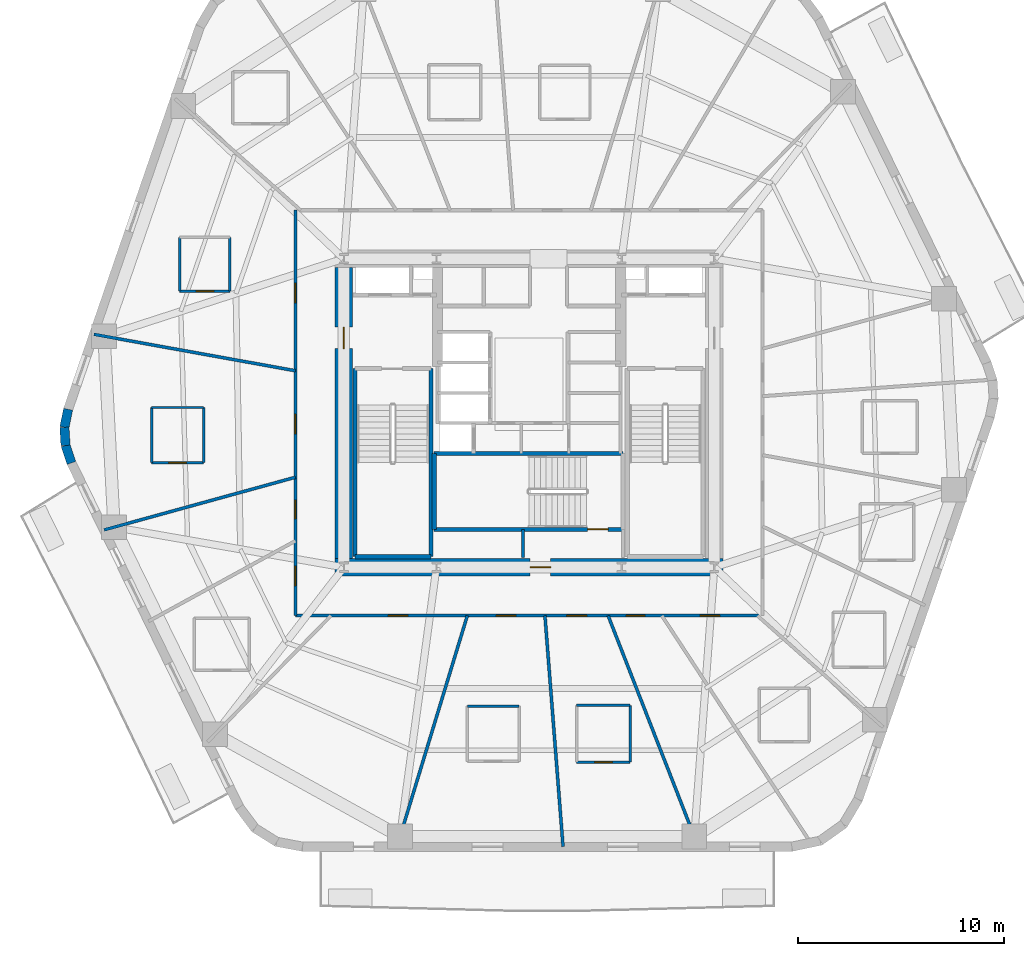
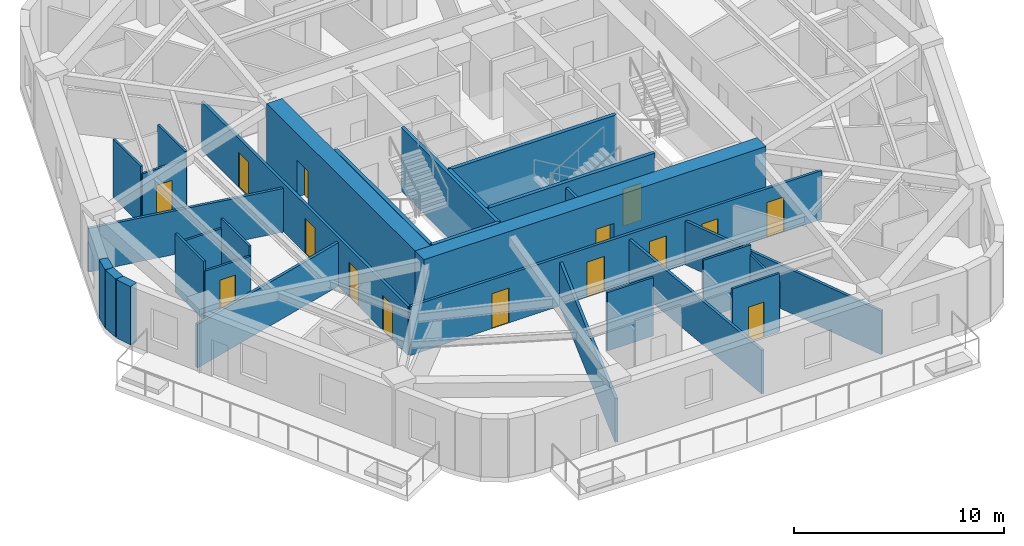
# One storey, part 3 of 10: 30 walls, 15 doors, 15 openings.
"""IFC4 building model written with IfcOpenShell, lengths in metres."""

import ifcopenshell
import ifcopenshell.guid

model = None  # the IFC model being written
_history = None  # IfcOwnerHistory: only IFC2X3 demands one
_inside = {}  # id of a spatial element -> (the spatial element, [elements in it])
_under = {}  # id of a project, library or spatial element -> (it, [spatial elements below it])
_declared = {}  # id of a project -> (the project, [libraries it declares])
_typed = {}  # id of a type object -> (the type object, [elements of that type])
_made_of = {}  # id of a material, layer set ... -> (it, [elements and type objects made of it])


def new_model(schema):
    """Start an empty IFC model of exactly this schema.

    Asked for "IFC4X3", IfcOpenShell would pick the latest addendum, in which some entities
    have other attributes; the version numbers below select the first issue.
    IFC2X3 requires an IfcOwnerHistory on every rooted entity: one is made here for all.
    """
    global model, _history
    if schema == "IFC4X3":
        model = ifcopenshell.file(schema_version=(4, 3, 0, 0))
    else:
        model = ifcopenshell.file(schema=schema)
    _inside.clear()
    _under.clear()
    _declared.clear()
    _typed.clear()
    _made_of.clear()
    _history = None
    if model.schema == "IFC2X3":
        org = make("IfcOrganization", Name="unknown")
        user = make(
            "IfcPersonAndOrganization",
            ThePerson=make("IfcPerson", FamilyName="unknown"),
            TheOrganization=org,
        )
        app = make(
            "IfcApplication",
            ApplicationDeveloper=org,
            Version="unknown",
            ApplicationFullName="unknown",
            ApplicationIdentifier="unknown",
        )
        _history = make(
            "IfcOwnerHistory",
            OwningUser=user,
            OwningApplication=app,
            ChangeAction="ADDED",
            CreationDate=0,
        )
    return model


def make(cls, **values):
    """One entity of the class cls with the attributes given. An attribute that is None is left unset."""
    return model.create_entity(
        cls, **{name: value for name, value in values.items() if value is not None}
    )


def rooted(cls, **values):
    """An entity with a GlobalId (a new one), such as an element, a storey or a relation."""
    return make(cls, GlobalId=ifcopenshell.guid.new(), OwnerHistory=_history, **values)


def si_unit(unit_type, name, prefix=None):
    """IfcSIUnit, for example si_unit("LENGTHUNIT", "METRE", prefix="MILLI")."""
    return make("IfcSIUnit", UnitType=unit_type, Prefix=prefix, Name=name)


def assignment(units):
    """IfcUnitAssignment: the units of a project."""
    return None if units is None else make("IfcUnitAssignment", Units=units)


def point(xyz):
    """IfcCartesianPoint."""
    return None if xyz is None else make("IfcCartesianPoint", Coordinates=xyz)


def direction(xyz):
    """IfcDirection."""
    return None if xyz is None else make("IfcDirection", DirectionRatios=xyz)


def frame(location, z_axis=None, x_axis=None):
    """IfcAxis2Placement3D, a coordinate frame: its origin and axes. An axis left out is left unset."""
    return make(
        "IfcAxis2Placement3D",
        Location=point(location),
        Axis=direction(z_axis),
        RefDirection=direction(x_axis),
    )


def frame_2d(location, x_axis=None):
    """IfcAxis2Placement2D, a coordinate frame in the plane: its origin and x axis."""
    return make(
        "IfcAxis2Placement2D", Location=point(location), RefDirection=direction(x_axis)
    )


def origin():
    """The frame at (0, 0, 0) with its axes left unset."""
    return frame((0.0, 0.0, 0.0))


def place(relative_to, where):
    """IfcLocalPlacement: puts the frame where relative to a parent placement (None: the world)."""
    return make(
        "IfcLocalPlacement", PlacementRelTo=relative_to, RelativePlacement=where
    )


def context(
    kind, dimensions, precision=None, world=None, true_north=None, identifier=None
):
    """IfcGeometricRepresentationContext, for example the 3D "Model" context."""
    return make(
        "IfcGeometricRepresentationContext",
        ContextIdentifier=identifier,
        ContextType=kind,
        CoordinateSpaceDimension=dimensions,
        Precision=precision,
        WorldCoordinateSystem=world,
        TrueNorth=true_north,
    )


def subcontext(parent, identifier, kind, view, scale=None):
    """IfcGeometricRepresentationSubContext, for example "Body" below "Model"."""
    return make(
        "IfcGeometricRepresentationSubContext",
        ContextIdentifier=identifier,
        ContextType=kind,
        ParentContext=parent,
        TargetScale=scale,
        TargetView=view,
    )


def project(units=None, contexts=None):
    """IfcProject with its units and contexts."""
    return rooted(
        "IfcProject",
        Name="project",
        RepresentationContexts=contexts,
        UnitsInContext=assignment(units),
    )


def spatial(cls, under=None, at=None, **own):
    """A site, building, storey or space (cls), placed at a placement, below another one or the project."""
    s = rooted(cls, ObjectPlacement=at, **own)
    if under is not None:
        _under.setdefault(under.id(), (under, []))[1].append(s)
    return s


def profile(cls, at=None, kind="AREA", **sizes):
    """A parametric profile (cls). Its sizes go by their IFC names, for example OverallWidth=200.0."""
    return make(cls, ProfileType=kind, Position=at, **sizes)


def rectangle(**sizes):
    """IfcRectangleProfileDef."""
    return profile("IfcRectangleProfileDef", **sizes)


def extrude(swept, where, along, depth):
    """IfcExtrudedAreaSolid: the profile swept, set in the frame where, extruded along a direction by depth."""
    return make(
        "IfcExtrudedAreaSolid",
        SweptArea=swept,
        Position=where,
        ExtrudedDirection=direction(along),
        Depth=depth,
    )


def shape(context_of_items, identifier, shape_type, items):
    """IfcShapeRepresentation: the items that make up one representation, for example the "Body"."""
    return make(
        "IfcShapeRepresentation",
        ContextOfItems=context_of_items,
        RepresentationIdentifier=identifier,
        RepresentationType=shape_type,
        Items=items,
    )


def material(Name=None, Category=None):
    """IfcMaterial."""
    return make("IfcMaterial", Name=Name, Category=Category)


def layer(
    of_material, thickness, ventilated=None, Name=None, Category=None, Priority=None
):
    """IfcMaterialLayer: one layer of a wall or slab, of a material (None: an air gap)."""
    return make(
        "IfcMaterialLayer",
        Material=of_material,
        LayerThickness=thickness,
        IsVentilated=ventilated,
        Name=Name,
        Category=Category,
        Priority=Priority,
    )


def layer_set(layers, Name=None):
    """IfcMaterialLayerSet."""
    return make("IfcMaterialLayerSet", MaterialLayers=layers, LayerSetName=Name)


def made_of(thing, what):
    """Note that an element or type object is made of a material, layer set ...; save() writes the relation."""
    if what is not None:
        _made_of.setdefault(what.id(), (what, []))[1].append(thing)
    return thing


def type_object(cls, material=None, **own):
    """A type object (cls), such as IfcWallType, which elements share."""
    return made_of(rooted(cls, **own), material)


def element(
    cls,
    number,
    at=None,
    inside=None,
    cuts=None,
    type_object=None,
    material=None,
    context=None,
    identifier="Body",
    shape_type=None,
    held_by="IfcProductDefinitionShape",
    body=None,
    shapes=None,
    **own,
):
    """One element of the class cls, such as IfcWall. Its Tag is "e" and its number.

    at: its placement. inside: the storey or other place that contains it. cuts: it is an
    opening in that element (IfcRelVoidsElement). A single representation is given by context,
    identifier, shape_type and body (its items); several are given by shapes. held_by: the class
    of the entity that holds the representations. save() writes the other relations.
    """
    e = rooted(cls, Tag="e%d" % number, ObjectPlacement=at, **own)
    if body is not None:
        shapes = [shape(context, identifier, shape_type, body)]
    if shapes is not None:
        e.Representation = make(held_by, Representations=shapes)
    if inside is not None:
        _inside.setdefault(inside.id(), (inside, []))[1].append(e)
    if cuts is not None:
        rooted(
            "IfcRelVoidsElement", RelatingBuildingElement=cuts, RelatedOpeningElement=e
        )
    if type_object is not None:
        _typed.setdefault(type_object.id(), (type_object, []))[1].append(e)
    return made_of(e, material)


def fill(opening, filler):
    """IfcRelFillsElement: the door or window that sits in an opening."""
    return rooted(
        "IfcRelFillsElement",
        RelatingOpeningElement=opening,
        RelatedBuildingElement=filler,
    )


def aggregate(whole, parts):
    """IfcRelAggregates: a whole, such as a stair, and the parts it consists of."""
    return rooted("IfcRelAggregates", RelatingObject=whole, RelatedObjects=parts)


def save(model, path):
    """Write the relations noted so far, then the file.

    IfcRelAggregates (storeys below a building ...), IfcRelContainedInSpatialStructure (elements
    in a storey), IfcRelDefinesByType, IfcRelAssociatesMaterial and IfcRelDeclares: one each for
    every whole, place, type object, material and project.
    """
    for whole, parts in _under.values():
        aggregate(whole, parts)
    for where, things in _inside.values():
        rooted(
            "IfcRelContainedInSpatialStructure",
            RelatedElements=things,
            RelatingStructure=where,
        )
    for kind, things in _typed.values():
        rooted("IfcRelDefinesByType", RelatedObjects=things, RelatingType=kind)
    for what, things in _made_of.values():
        rooted("IfcRelAssociatesMaterial", RelatedObjects=things, RelatingMaterial=what)
    for by, libraries in _declared.values():
        rooted("IfcRelDeclares", RelatingContext=by, RelatedDefinitions=libraries)
    model.write(path)


model = new_model("IFC4")

# Units and contexts
model_context = context("Model", 3, precision=1e-05, world=origin(), true_north=direction((0.0, 1.0)))
body_context = subcontext(model_context, "Body", "Model", "MODEL_VIEW")
ifc_project = project(units=[si_unit("LENGTHUNIT", "METRE"), si_unit("AREAUNIT", "SQUARE_METRE"), si_unit("VOLUMEUNIT", "CUBIC_METRE"), si_unit("PLANEANGLEUNIT", "RADIAN"), si_unit("MASSUNIT", "GRAM", prefix="KILO")], contexts=[model_context])

# Site, building, storey
site_placement = place(None, origin())
site = spatial("IfcSite", under=ifc_project, at=site_placement, CompositionType="ELEMENT")
building_placement = place(site_placement, origin())
building = spatial("IfcBuilding", under=site, at=building_placement, Name="Kilnhurst Terrace Hotel", CompositionType="ELEMENT")
storey_placement = place(building_placement, frame((0.0, 0.0, 95.10009765625)))
storey = spatial("IfcBuildingStorey", under=building, at=storey_placement, Name="L22", CompositionType="ELEMENT", Elevation=95.10009765625)

# Walls
ifc_material_1 = material(Name="Precast concrete C40/50", Category="concrete")
ifc_layer_1 = layer(ifc_material_1, 0.449951171875, Name="Precast concrete C40/50")
ifc_layer_set_1 = layer_set([ifc_layer_1], Name="Precast concrete C40/50")
wall_type_1 = type_object("IfcWallType", Name="WL-BRK-450", PredefinedType="SOLIDWALL", material=ifc_layer_set_1)
wall_1_placement = place(storey_placement, frame((-22.39697265625, 0.17919921875, 0.0), z_axis=(0.0, 0.0, 1.0), x_axis=(-0.199313589404, -0.979935759669, 0.0)))
element("IfcWall", 1, at=wall_1_placement, inside=storey, type_object=wall_type_1, Name="L22 Rounded Corner Brick Wall C6.1", PredefinedType="SOLIDWALL", context=body_context, shape_type="SweptSolid", body=[
    extrude(rectangle(XDim=0.8955078125, YDim=0.449951171875, at=frame_2d((0.44775390625, 0.0))), origin(), (0.0, 0.0, 1.0), 3.39990234375),
])
wall_2_placement = place(storey_placement, frame((-22.575439453125, -0.6982421875, 0.0), z_axis=(0.0, 0.0, 1.0), x_axis=(0.060980441946, -0.998138961117, 0.0)))
element("IfcWall", 2, at=wall_2_placement, inside=storey, type_object=wall_type_1, Name="L22 Rounded Corner Brick Wall C6.2", PredefinedType="SOLIDWALL", context=body_context, shape_type="SweptSolid", body=[
    extrude(rectangle(XDim=0.880859375, YDim=0.449951171875, at=frame_2d((0.4404296875, 0.0))), origin(), (0.0, 0.0, 1.0), 3.39990234375),
])
wall_3_placement = place(storey_placement, frame((-22.521728515625, -1.577392578125, 0.0), z_axis=(0.0, 0.0, 1.0), x_axis=(0.317372694837, -0.948300887151, 0.0)))
element("IfcWall", 3, at=wall_3_placement, inside=storey, type_object=wall_type_1, Name="L22 Rounded Corner Brick Wall C6.3", PredefinedType="SOLIDWALL", context=body_context, shape_type="SweptSolid", body=[
    extrude(rectangle(XDim=0.8955078125, YDim=0.449951171875, at=frame_2d((0.44775390625, 0.0))), origin(), (0.0, 0.0, 1.0), 3.39990234375),
])

# Wall, openings, doors
ifc_material_2 = material(Name="Acoustic Double-Gypsum Corridor Partition Assembly")
ifc_layer_2 = layer(ifc_material_2, 0.14990234375, Name="Acoustic Double-Gypsum Corridor Partition Assembly")
ifc_layer_set_2 = layer_set([ifc_layer_2], Name="Acoustic Double-Gypsum Corridor Partition Assembly")
wall_type_2 = type_object("IfcWallType", Name="WL-COR-150", PredefinedType="PARTITIONING", material=ifc_layer_set_2)
wall_4_placement = place(storey_placement, frame((-11.35009765625, -9.85009765625, 0.0), z_axis=(0.0, 0.0, 1.0), x_axis=(0.0, 1.0, 0.0)))
wall_4 = element("IfcWall", 4, at=wall_4_placement, inside=storey, type_object=wall_type_2, Name="L22 Interior Wall WL-L22-COR-01", PredefinedType="PARTITIONING", context=body_context, shape_type="SweptSolid", body=[
    extrude(rectangle(XDim=19.7001953125, YDim=0.14990234375, at=frame_2d((9.85009765625, 0.0))), origin(), (0.0, 0.0, 1.0), 2.83984375),
])
opening_1_placement = place(wall_4_placement, frame((15.205078125, 0.0, 0.0)))
opening_1 = element("IfcOpeningElement", 5, at=opening_1_placement, cuts=wall_4, Name="Opening D-60B", PredefinedType="OPENING", context=body_context, shape_type="SweptSolid", body=[
    extrude(rectangle(XDim=0.949951171875, YDim=2.030029296875, at=frame_2d((0.47509765625, 1.01513671875))), frame((0.0, 0.0849609375, 0.0), z_axis=(0.0, -1.0, 0.0), x_axis=(1.0, 0.0, 0.0)), (0.0, 0.0, 1.0), 0.169921875),
])
opening_2_placement = place(wall_4_placement, frame((8.8359375, 0.0, 0.0)))
opening_2 = element("IfcOpeningElement", 6, at=opening_2_placement, cuts=wall_4, Name="Opening D-60B", PredefinedType="OPENING", context=body_context, shape_type="SweptSolid", body=[
    extrude(rectangle(XDim=0.949951171875, YDim=2.030029296875, at=frame_2d((0.47509765625, 1.01513671875))), frame((0.0, 0.0849609375, 0.0), z_axis=(0.0, -1.0, 0.0), x_axis=(1.0, 0.0, 0.0)), (0.0, 0.0, 1.0), 0.169921875),
])
opening_3_placement = place(wall_4_placement, frame((4.714111328125, 0.0, 0.0)))
opening_3 = element("IfcOpeningElement", 7, at=opening_3_placement, cuts=wall_4, Name="Opening D-60C", PredefinedType="OPENING", context=body_context, shape_type="SweptSolid", body=[
    extrude(rectangle(XDim=0.89990234375, YDim=2.030029296875, at=frame_2d((0.449951171875, 1.01513671875))), frame((0.0, 0.0849609375, 0.0), z_axis=(0.0, -1.0, 0.0), x_axis=(1.0, 0.0, 0.0)), (0.0, 0.0, 1.0), 0.169921875),
])
opening_4_placement = place(wall_4_placement, frame((1.4619140625, 0.0, 0.0)))
opening_4 = element("IfcOpeningElement", 8, at=opening_4_placement, cuts=wall_4, Name="Opening D-60B", PredefinedType="OPENING", context=body_context, shape_type="SweptSolid", body=[
    extrude(rectangle(XDim=0.949951171875, YDim=2.030029296875, at=frame_2d((0.47509765625, 1.01513671875))), frame((0.0, 0.0849609375, 0.0), z_axis=(0.0, -1.0, 0.0), x_axis=(1.0, 0.0, 0.0)), (0.0, 0.0, 1.0), 0.169921875),
])
ifc_material_3 = material(Name="Painted Solid-Core Service Fire Door")
door_type_1 = type_object("IfcDoorType", Name="DR-FD60-900", OperationType="NOTDEFINED", PredefinedType="DOOR", material=ifc_material_3)
door_1_placement = place(opening_3_placement, origin())
door_1 = element("IfcDoor", 9, at=door_1_placement, inside=storey, type_object=door_type_1, Name="L22 Wellness Consultation Room Door 11", OperationType="SINGLE_SWING_LEFT", OverallHeight=2.030029296875, OverallWidth=0.89990234375, PredefinedType="DOOR", context=body_context, shape_type="SweptSolid", body=[
    extrude(rectangle(XDim=0.89990234375, YDim=2.030029296875, at=frame_2d((0.449951171875, 1.01513671875))), frame((0.0, 0.02490234375, 0.0), z_axis=(0.0, -1.0, 0.0), x_axis=(1.0, 0.0, 0.0)), (0.0, 0.0, 1.0), 0.050048828125),
])
fill(opening_3, door_1)
ifc_material_4 = material(Name="Acoustic Walnut Veneer Solid-Core Fire Door")
door_type_2 = type_object("IfcDoorType", Name="DR-FD60-950", OperationType="NOTDEFINED", PredefinedType="DOOR", material=ifc_material_4)
door_2_placement = place(opening_1_placement, origin())
door_2 = element("IfcDoor", 10, at=door_2_placement, inside=storey, type_object=door_type_2, Name="L22 Executive Suite Entry Door 9", OperationType="SINGLE_SWING_LEFT", OverallHeight=2.030029296875, OverallWidth=0.949951171875, PredefinedType="DOOR", context=body_context, shape_type="SweptSolid", body=[
    extrude(rectangle(XDim=0.949951171875, YDim=2.030029296875, at=frame_2d((0.47509765625, 1.01513671875))), frame((0.0, 0.02490234375, 0.0), z_axis=(0.0, -1.0, 0.0), x_axis=(1.0, 0.0, 0.0)), (0.0, 0.0, 1.0), 0.050048828125),
])
fill(opening_1, door_2)
door_3_placement = place(opening_2_placement, origin())
door_3 = element("IfcDoor", 11, at=door_3_placement, inside=storey, type_object=door_type_2, Name="L22 Executive Suite Entry Door 10", OperationType="SINGLE_SWING_RIGHT", OverallHeight=2.030029296875, OverallWidth=0.949951171875, PredefinedType="DOOR", context=body_context, shape_type="SweptSolid", body=[
    extrude(rectangle(XDim=0.949951171875, YDim=2.030029296875, at=frame_2d((0.47509765625, 1.01513671875))), frame((0.0, 0.02490234375, 0.0), z_axis=(0.0, -1.0, 0.0), x_axis=(1.0, 0.0, 0.0)), (0.0, 0.0, 1.0), 0.050048828125),
])
fill(opening_2, door_3)
door_4_placement = place(opening_4_placement, origin())
door_4 = element("IfcDoor", 12, at=door_4_placement, inside=storey, type_object=door_type_2, Name="L22 Guest Room Entry Door 12", OperationType="SINGLE_SWING_RIGHT", OverallHeight=2.030029296875, OverallWidth=0.949951171875, PredefinedType="DOOR", context=body_context, shape_type="SweptSolid", body=[
    extrude(rectangle(XDim=0.949951171875, YDim=2.030029296875, at=frame_2d((0.47509765625, 1.01513671875))), frame((0.0, 0.02490234375, 0.0), z_axis=(0.0, -1.0, 0.0), x_axis=(1.0, 0.0, 0.0)), (0.0, 0.0, 1.0), 0.050048828125),
])
fill(opening_4, door_4)

wall_5_placement = place(storey_placement, frame((11.35009765625, -9.85009765625, 0.0), z_axis=(0.0, 0.0, 1.0), x_axis=(-1.0, 0.0, 0.0)))
wall_5 = element("IfcWall", 13, at=wall_5_placement, inside=storey, type_object=wall_type_2, Name="L22 Interior Wall WL-L22-COR-04", PredefinedType="PARTITIONING", context=body_context, shape_type="SweptSolid", body=[
    extrude(rectangle(XDim=22.7001953125, YDim=0.14990234375, at=frame_2d((11.35009765625, 0.0))), origin(), (0.0, 0.0, 1.0), 2.83984375),
])
opening_5_placement = place(wall_5_placement, frame((17.237060546875, 0.0, 0.0)))
opening_5 = element("IfcOpeningElement", 14, at=opening_5_placement, cuts=wall_5, Name="Opening D-60B", PredefinedType="OPENING", context=body_context, shape_type="SweptSolid", body=[
    extrude(rectangle(XDim=0.949951171875, YDim=2.030029296875, at=frame_2d((0.47509765625, 1.01513671875))), frame((0.0, 0.0849609375, 0.0), z_axis=(0.0, -1.0, 0.0), x_axis=(1.0, 0.0, 0.0)), (0.0, 0.0, 1.0), 0.169921875),
])
opening_6_placement = place(wall_5_placement, frame((11.993896484375, 0.0, 0.0)))
opening_6 = element("IfcOpeningElement", 15, at=opening_6_placement, cuts=wall_5, Name="Opening D-60B", PredefinedType="OPENING", context=body_context, shape_type="SweptSolid", body=[
    extrude(rectangle(XDim=0.949951171875, YDim=2.030029296875, at=frame_2d((0.47509765625, 1.01513671875))), frame((0.0, 0.0849609375, 0.0), z_axis=(0.0, -1.0, 0.0), x_axis=(1.0, 0.0, 0.0)), (0.0, 0.0, 1.0), 0.169921875),
])
opening_7_placement = place(wall_5_placement, frame((8.55908203125, 0.0, 0.0)))
opening_7 = element("IfcOpeningElement", 16, at=opening_7_placement, cuts=wall_5, Name="Opening D-60B", PredefinedType="OPENING", context=body_context, shape_type="SweptSolid", body=[
    extrude(rectangle(XDim=0.949951171875, YDim=2.030029296875, at=frame_2d((0.47509765625, 1.01513671875))), frame((0.0, 0.0849609375, 0.0), z_axis=(0.0, -1.0, 0.0), x_axis=(1.0, 0.0, 0.0)), (0.0, 0.0, 1.0), 0.169921875),
])
opening_8_placement = place(wall_5_placement, frame((5.72802734375, 0.0, 0.0)))
opening_8 = element("IfcOpeningElement", 17, at=opening_8_placement, cuts=wall_5, Name="Opening D-60C", PredefinedType="OPENING", context=body_context, shape_type="SweptSolid", body=[
    extrude(rectangle(XDim=0.89990234375, YDim=2.030029296875, at=frame_2d((0.449951171875, 1.01513671875))), frame((0.0, 0.0849609375, 0.0), z_axis=(0.0, -1.0, 0.0), x_axis=(1.0, 0.0, 0.0)), (0.0, 0.0, 1.0), 0.169921875),
])
opening_9_placement = place(wall_5_placement, frame((2.093017578125, 0.0, 0.0)))
opening_9 = element("IfcOpeningElement", 18, at=opening_9_placement, cuts=wall_5, Name="Opening D-60B", PredefinedType="OPENING", context=body_context, shape_type="SweptSolid", body=[
    extrude(rectangle(XDim=0.949951171875, YDim=2.030029296875, at=frame_2d((0.47509765625, 1.01513671875))), frame((0.0, 0.0849609375, 0.0), z_axis=(0.0, -1.0, 0.0), x_axis=(1.0, 0.0, 0.0)), (0.0, 0.0, 1.0), 0.169921875),
])
door_5_placement = place(opening_8_placement, origin())
door_5 = element("IfcDoor", 19, at=door_5_placement, inside=storey, type_object=door_type_1, Name="L22 Private Tasting Dining Room Door 16", OperationType="SINGLE_SWING_RIGHT", OverallHeight=2.030029296875, OverallWidth=0.89990234375, PredefinedType="DOOR", context=body_context, shape_type="SweptSolid", body=[
    extrude(rectangle(XDim=0.89990234375, YDim=2.030029296875, at=frame_2d((0.449951171875, 1.01513671875))), frame((0.0, 0.02490234375, 0.0), z_axis=(0.0, -1.0, 0.0), x_axis=(1.0, 0.0, 0.0)), (0.0, 0.0, 1.0), 0.050048828125),
])
fill(opening_8, door_5)
door_6_placement = place(opening_5_placement, origin())
door_6 = element("IfcDoor", 20, at=door_6_placement, inside=storey, type_object=door_type_2, Name="L22 Wellness Spa Room Door", OperationType="SINGLE_SWING_LEFT", OverallHeight=2.030029296875, OverallWidth=0.949951171875, PredefinedType="DOOR", context=body_context, shape_type="SweptSolid", body=[
    extrude(rectangle(XDim=0.949951171875, YDim=2.030029296875, at=frame_2d((0.47509765625, 1.01513671875))), frame((0.0, 0.02490234375, 0.0), z_axis=(0.0, -1.0, 0.0), x_axis=(1.0, 0.0, 0.0)), (0.0, 0.0, 1.0), 0.050048828125),
])
fill(opening_5, door_6)
door_7_placement = place(opening_6_placement, origin())
door_7 = element("IfcDoor", 21, at=door_7_placement, inside=storey, type_object=door_type_2, Name="L22 Guest Room Entry Door 14", OperationType="SINGLE_SWING_RIGHT", OverallHeight=2.030029296875, OverallWidth=0.949951171875, PredefinedType="DOOR", context=body_context, shape_type="SweptSolid", body=[
    extrude(rectangle(XDim=0.949951171875, YDim=2.030029296875, at=frame_2d((0.47509765625, 1.01513671875))), frame((0.0, 0.02490234375, 0.0), z_axis=(0.0, -1.0, 0.0), x_axis=(1.0, 0.0, 0.0)), (0.0, 0.0, 1.0), 0.050048828125),
])
fill(opening_6, door_7)
door_8_placement = place(opening_7_placement, origin())
door_8 = element("IfcDoor", 22, at=door_8_placement, inside=storey, type_object=door_type_2, Name="L22 Guest Room Entry Door 15", OperationType="SINGLE_SWING_LEFT", OverallHeight=2.030029296875, OverallWidth=0.949951171875, PredefinedType="DOOR", context=body_context, shape_type="SweptSolid", body=[
    extrude(rectangle(XDim=0.949951171875, YDim=2.030029296875, at=frame_2d((0.47509765625, 1.01513671875))), frame((0.0, 0.02490234375, 0.0), z_axis=(0.0, -1.0, 0.0), x_axis=(1.0, 0.0, 0.0)), (0.0, 0.0, 1.0), 0.050048828125),
])
fill(opening_7, door_8)
door_9_placement = place(opening_9_placement, origin())
door_9 = element("IfcDoor", 23, at=door_9_placement, inside=storey, type_object=door_type_2, Name="L22 Guest Room Entry Door 17", OperationType="SINGLE_SWING_LEFT", OverallHeight=2.030029296875, OverallWidth=0.949951171875, PredefinedType="DOOR", context=body_context, shape_type="SweptSolid", body=[
    extrude(rectangle(XDim=0.949951171875, YDim=2.030029296875, at=frame_2d((0.47509765625, 1.01513671875))), frame((0.0, 0.02490234375, 0.0), z_axis=(0.0, -1.0, 0.0), x_axis=(1.0, 0.0, 0.0)), (0.0, 0.0, 1.0), 0.050048828125),
])
fill(opening_9, door_9)

# Wall, opening, door
ifc_material_5 = material(Name="Concrete C80/95", Category="concrete")
ifc_layer_3 = layer(ifc_material_5, 0.85009765625, Name="Concrete C80/95")
ifc_layer_set_3 = layer_set([ifc_layer_3], Name="Concrete C80/95")
wall_type_3 = type_object("IfcWallType", Name="WL-CORE-850", PredefinedType="SHEAR", material=ifc_layer_set_3)
wall_6_placement = place(storey_placement, frame((-9.425048828125, -7.5, 0.0), z_axis=(0.0, 0.0, 1.0), x_axis=(1.0, 0.0, 0.0)))
wall_6 = element("IfcWall", 24, at=wall_6_placement, inside=storey, type_object=wall_type_3, Name="L22 Core South Shear Wall", PredefinedType="SHEAR", context=body_context, shape_type="SweptSolid", body=[
    extrude(rectangle(XDim=18.85009765625, YDim=0.85009765625, at=frame_2d((9.425048828125, 0.0))), origin(), (0.0, 0.0, 1.0), 3.699951171875),
])
opening_10_placement = place(wall_6_placement, frame((9.47509765625, 0.0, 0.0)))
opening_10 = element("IfcOpeningElement", 25, at=opening_10_placement, cuts=wall_6, Name="Opening D-90B", PredefinedType="OPENING", context=body_context, shape_type="SweptSolid", body=[
    extrude(rectangle(XDim=1.0, YDim=2.14990234375, at=frame_2d((0.5, 1.074951171875))), frame((0.0, 0.43505859375, 0.0), z_axis=(0.0, -1.0, 0.0), x_axis=(1.0, 0.0, 0.0)), (0.0, 0.0, 1.0), 0.8701171875),
])
ifc_material_6 = material(Name="Painted Hollow Metal Steel ASTM A36 Fire Door", Category="steel")
door_type_3 = type_object("IfcDoorType", Name="DR-FD90-1000", OperationType="NOTDEFINED", PredefinedType="DOOR", material=ifc_material_6)
door_10_placement = place(opening_10_placement, origin())
door_10 = element("IfcDoor", 26, at=door_10_placement, inside=storey, type_object=door_type_3, Name="L22 Stair ST-3 Corridor Door", OperationType="SINGLE_SWING_RIGHT", OverallHeight=2.14990234375, OverallWidth=1.0, PredefinedType="DOOR", context=body_context, shape_type="SweptSolid", body=[
    extrude(rectangle(XDim=1.0, YDim=2.14990234375, at=frame_2d((0.5, 1.074951171875))), frame((0.0, 0.02490234375, 0.0), z_axis=(0.0, -1.0, 0.0), x_axis=(1.0, 0.0, 0.0)), (0.0, 0.0, 1.0), 0.050048828125),
])
fill(opening_10, door_10)

wall_7_placement = place(storey_placement, frame((-9.0, -7.074951171875, 0.0), z_axis=(0.0, 0.0, 1.0), x_axis=(0.0, 1.0, 0.0)))
wall_7 = element("IfcWall", 27, at=wall_7_placement, inside=storey, type_object=wall_type_3, Name="L22 Core West Shear Wall", PredefinedType="SHEAR", context=body_context, shape_type="SweptSolid", body=[
    extrude(rectangle(XDim=14.14990234375, YDim=0.85009765625, at=frame_2d((7.074951171875, 0.0))), origin(), (0.0, 0.0, 1.0), 3.699951171875),
])
opening_11_placement = place(wall_7_placement, frame((10.199951171875, 0.0, 0.0)))
opening_11 = element("IfcOpeningElement", 28, at=opening_11_placement, cuts=wall_7, Name="Opening D-90A", PredefinedType="OPENING", context=body_context, shape_type="SweptSolid", body=[
    extrude(rectangle(XDim=1.050048828125, YDim=2.14990234375, at=frame_2d((0.52490234375, 1.074951171875))), frame((0.0, 0.43505859375, 0.0), z_axis=(0.0, -1.0, 0.0), x_axis=(1.0, 0.0, 0.0)), (0.0, 0.0, 1.0), 0.8701171875),
])
door_type_4 = type_object("IfcDoorType", Name="DR-FD90-1050", OperationType="NOTDEFINED", PredefinedType="DOOR", material=ifc_material_6)
door_11_placement = place(opening_11_placement, origin())
door_11 = element("IfcDoor", 29, at=door_11_placement, inside=storey, type_object=door_type_4, Name="L22 West Firefighting Lobby Door", OperationType="SINGLE_SWING_RIGHT", OverallHeight=2.14990234375, OverallWidth=1.050048828125, PredefinedType="DOOR", context=body_context, shape_type="SweptSolid", body=[
    extrude(rectangle(XDim=1.050048828125, YDim=2.14990234375, at=frame_2d((0.52490234375, 1.074951171875))), frame((0.0, 0.02490234375, 0.0), z_axis=(0.0, -1.0, 0.0), x_axis=(1.0, 0.0, 0.0)), (0.0, 0.0, 1.0), 0.050048828125),
])
fill(opening_11, door_11)

# Walls
ifc_material_7 = material(Name="STC-58 Acoustic Twin-Frame Guestroom Demising Partition")
ifc_layer_4 = layer(ifc_material_7, 0.14990234375, Name="STC-58 Acoustic Twin-Frame Guestroom Demising Partition")
ifc_layer_set_4 = layer_set([ifc_layer_4], Name="STC-58 Acoustic Twin-Frame Guestroom Demising Partition")
wall_type_4 = type_object("IfcWallType", Name="WL-DEM-150", PredefinedType="PARTITIONING", material=ifc_layer_set_4)
wall_8_placement = place(storey_placement, frame((-11.35009765625, 2.05078125, 0.0), z_axis=(0.0, 0.0, 1.0), x_axis=(-0.984068313063, 0.177790762484, 0.0)))
element("IfcWall", 30, at=wall_8_placement, inside=storey, type_object=wall_type_4, Name="L22 Interior Wall WL-L22-DEM-COL06-10-1", PredefinedType="PARTITIONING", context=body_context, shape_type="SweptSolid", body=[
    extrude(rectangle(XDim=9.951416015625, YDim=0.14990234375, at=frame_2d((4.9755859375, 0.0))), origin(), (0.0, 0.0, 1.0), 2.539794921875),
])
wall_9_placement = place(storey_placement, frame((-11.35009765625, -3.123291015625, 0.0), z_axis=(0.0, 0.0, 1.0), x_axis=(-0.964151983214, -0.265350623261, 0.0)))
element("IfcWall", 31, at=wall_9_placement, inside=storey, type_object=wall_type_4, Name="L22 Interior Wall WL-L22-DEM-COL07-11-1", PredefinedType="PARTITIONING", context=body_context, shape_type="SweptSolid", body=[
    extrude(rectangle(XDim=9.64501953125, YDim=0.14990234375, at=frame_2d((4.822509765625, 0.0))), origin(), (0.0, 0.0, 1.0), 2.539794921875),
])
wall_10_placement = place(storey_placement, frame((-3.0, -9.85009765625, 0.0), z_axis=(0.0, 0.0, 1.0), x_axis=(-0.291352035382, -0.95661590593, 0.0)))
element("IfcWall", 32, at=wall_10_placement, inside=storey, type_object=wall_type_4, Name="L22 Interior Wall WL-L22-DEM-COL09-14-1", PredefinedType="PARTITIONING", context=body_context, shape_type="SweptSolid", body=[
    extrude(rectangle(XDim=11.73388671875, YDim=0.14990234375, at=frame_2d((5.866943359375, 0.0))), origin(), (0.0, 0.0, 1.0), 2.539794921875),
])
wall_11_placement = place(storey_placement, frame((0.771728515625, -9.85009765625, 0.0), z_axis=(0.0, 0.0, 1.0), x_axis=(0.078125747145, -0.996943512759, 0.0)))
element("IfcWall", 33, at=wall_11_placement, inside=storey, type_object=wall_type_4, Name="L22 Interior Wall WL-L22-DEM-MID09-15-1", PredefinedType="PARTITIONING", context=body_context, shape_type="SweptSolid", body=[
    extrude(rectangle(XDim=11.25927734375, YDim=0.14990234375, at=frame_2d((5.629638671875, 0.0))), origin(), (0.0, 0.0, 1.0), 2.539794921875),
])
wall_12_placement = place(storey_placement, frame((3.84228515625, -9.85009765625, 0.0), z_axis=(0.0, 0.0, 1.0), x_axis=(0.363432685593, -0.931620460833, 0.0)))
element("IfcWall", 34, at=wall_12_placement, inside=storey, type_object=wall_type_4, Name="L22 Interior Wall WL-L22-DEM-COL10-16-1", PredefinedType="PARTITIONING", context=body_context, shape_type="SweptSolid", body=[
    extrude(rectangle(XDim=12.048828125, YDim=0.14990234375, at=frame_2d((6.0244140625, 0.0))), origin(), (0.0, 0.0, 1.0), 2.539794921875),
])

# Wall, opening, door
ifc_material_8 = material(Name="120 mm Moisture-Resistant Tile-Backed Bathroom Partition")
ifc_layer_5 = layer(ifc_material_8, 0.1201171875, Name="120 mm Moisture-Resistant Tile-Backed Bathroom Partition")
ifc_layer_set_5 = layer_set([ifc_layer_5], Name="120 mm Moisture-Resistant Tile-Backed Bathroom Partition")
wall_type_5 = type_object("IfcWallType", Name="WL-PART-120", PredefinedType="PARTITIONING", material=ifc_layer_set_5)
wall_13_placement = place(storey_placement, frame((-16.97412109375, 5.925048828125, 0.0), z_axis=(0.0, 0.0, 1.0), x_axis=(1.0, 0.0, 0.0)))
wall_13 = element("IfcWall", 35, at=wall_13_placement, inside=storey, type_object=wall_type_5, Name="L22 Interior Wall WL-L22-BTH-09-1", PredefinedType="PARTITIONING", context=body_context, shape_type="SweptSolid", body=[
    extrude(rectangle(XDim=2.440185546875, YDim=0.1201171875, at=frame_2d((1.22021484375, 0.0))), origin(), (0.0, 0.0, 1.0), 2.97216796875),
])
opening_12_placement = place(wall_13_placement, frame((0.794921875, 0.0, 0.0)))
opening_12 = element("IfcOpeningElement", 36, at=opening_12_placement, cuts=wall_13, Name="Opening D-08A", PredefinedType="OPENING", context=body_context, shape_type="SweptSolid", body=[
    extrude(rectangle(XDim=0.85009765625, YDim=2.030029296875, at=frame_2d((0.425048828125, 1.01513671875))), frame((0.0, 0.070068359375, 0.0), z_axis=(0.0, -1.0, 0.0), x_axis=(1.0, 0.0, 0.0)), (0.0, 0.0, 1.0), 0.14013671875),
])
ifc_material_9 = material(Name="Moisture-Resistant Lacquered En-suite Bathroom Door")
door_type_5 = type_object("IfcDoorType", Name="DR-INT-850", OperationType="NOTDEFINED", PredefinedType="DOOR", material=ifc_material_9)
door_12_placement = place(opening_12_placement, origin())
door_12 = element("IfcDoor", 37, at=door_12_placement, inside=storey, type_object=door_type_5, Name="L22 En-suite Bathroom Door 9", OperationType="SINGLE_SWING_RIGHT", OverallHeight=2.030029296875, OverallWidth=0.85009765625, PredefinedType="DOOR", context=body_context, shape_type="SweptSolid", body=[
    extrude(rectangle(XDim=0.85009765625, YDim=2.030029296875, at=frame_2d((0.425048828125, 1.01513671875))), frame((0.0, 0.02490234375, 0.0), z_axis=(0.0, -1.0, 0.0), x_axis=(1.0, 0.0, 0.0)), (0.0, 0.0, 1.0), 0.050048828125),
])
fill(opening_12, door_12)

# Walls
for number, where, z_axis, x_axis, name in (
    (38, (-14.533935546875, 5.925048828125, 0.0), (0.0, 0.0, 1.0), (0.0, 1.0, 0.0), "L22 Interior Wall WL-L22-BTH-09-2"),
    (39, (-16.97412109375, 8.534912109375, 0.0), (0.0, 0.0, 1.0), (0.0, -1.0, 0.0), "L22 Interior Wall WL-L22-BTH-09-4"),
):
    element("IfcWall", number, at=place(storey_placement, frame(where, z_axis=z_axis, x_axis=x_axis)), inside=storey, type_object=wall_type_5, Name=name, PredefinedType="PARTITIONING", context=body_context, shape_type="SweptSolid", body=[
        extrude(rectangle(XDim=2.60986328125, YDim=0.1201171875, at=frame_2d((1.304931640625, 0.0))), origin(), (0.0, 0.0, 1.0), 3.39990234375),
    ])

# Wall, opening, door
wall_14_placement = place(storey_placement, frame((-18.3349609375, -2.4140625, 0.0), z_axis=(0.0, 0.0, 1.0), x_axis=(1.0, 0.0, 0.0)))
wall_14 = element("IfcWall", 40, at=wall_14_placement, inside=storey, type_object=wall_type_5, Name="L22 Interior Wall WL-L22-BTH-10-1", PredefinedType="PARTITIONING", context=body_context, shape_type="SweptSolid", body=[
    extrude(rectangle(XDim=2.52001953125, YDim=0.1201171875, at=frame_2d((1.260009765625, 0.0))), origin(), (0.0, 0.0, 1.0), 2.84033203125),
])
opening_13_placement = place(wall_14_placement, frame((0.8349609375, 0.0, 0.0)))
opening_13 = element("IfcOpeningElement", 41, at=opening_13_placement, cuts=wall_14, Name="Opening D-08A", PredefinedType="OPENING", context=body_context, shape_type="SweptSolid", body=[
    extrude(rectangle(XDim=0.85009765625, YDim=2.030029296875, at=frame_2d((0.425048828125, 1.01513671875))), frame((0.0, 0.070068359375, 0.0), z_axis=(0.0, -1.0, 0.0), x_axis=(1.0, 0.0, 0.0)), (0.0, 0.0, 1.0), 0.14013671875),
])
door_13_placement = place(opening_13_placement, origin())
door_13 = element("IfcDoor", 42, at=door_13_placement, inside=storey, type_object=door_type_5, Name="L22 En-suite Bathroom Door 10", OperationType="SINGLE_SWING_LEFT", OverallHeight=2.030029296875, OverallWidth=0.85009765625, PredefinedType="DOOR", context=body_context, shape_type="SweptSolid", body=[
    extrude(rectangle(XDim=0.85009765625, YDim=2.030029296875, at=frame_2d((0.425048828125, 1.01513671875))), frame((0.0, 0.02490234375, 0.0), z_axis=(0.0, -1.0, 0.0), x_axis=(1.0, 0.0, 0.0)), (0.0, 0.0, 1.0), 0.050048828125),
])
fill(opening_13, door_13)

# Walls
wall_15_placement = place(storey_placement, frame((-15.81494140625, -2.4140625, 0.0), z_axis=(0.0, 0.0, 1.0), x_axis=(0.0, 1.0, 0.0)))
element("IfcWall", 43, at=wall_15_placement, inside=storey, type_object=wall_type_5, Name="L22 Interior Wall WL-L22-BTH-10-2", PredefinedType="PARTITIONING", context=body_context, shape_type="SweptSolid", body=[
    extrude(rectangle(XDim=2.68017578125, YDim=0.1201171875, at=frame_2d((1.340087890625, 0.0))), origin(), (0.0, 0.0, 1.0), 3.39990234375),
])
wall_16_placement = place(storey_placement, frame((-15.81494140625, 0.26611328125, 0.0), z_axis=(0.0, 0.0, 1.0), x_axis=(-1.0, 0.0, 0.0)))
element("IfcWall", 44, at=wall_16_placement, inside=storey, type_object=wall_type_5, Name="L22 Interior Wall WL-L22-BTH-10-3", PredefinedType="PARTITIONING", context=body_context, shape_type="SweptSolid", body=[
    extrude(rectangle(XDim=2.52001953125, YDim=0.1201171875, at=frame_2d((1.260009765625, 0.0))), origin(), (0.0, 0.0, 1.0), 2.84033203125),
])
wall_17_placement = place(storey_placement, frame((-18.3349609375, 0.26611328125, 0.0), z_axis=(0.0, 0.0, 1.0), x_axis=(0.0, -1.0, 0.0)))
element("IfcWall", 45, at=wall_17_placement, inside=storey, type_object=wall_type_5, Name="L22 Interior Wall WL-L22-BTH-10-4", PredefinedType="PARTITIONING", context=body_context, shape_type="SweptSolid", body=[
    extrude(rectangle(XDim=2.68017578125, YDim=0.1201171875, at=frame_2d((1.340087890625, 0.0))), origin(), (0.0, 0.0, 1.0), 3.39990234375),
])
wall_18_placement = place(storey_placement, frame((-0.48095703125, -14.2470703125, 0.0), z_axis=(0.0, 0.0, 1.0), x_axis=(-1.0, 0.0, 0.0)))
element("IfcWall", 46, at=wall_18_placement, inside=storey, type_object=wall_type_5, Name="L22 Interior Wall WL-L22-BTH-14-3", PredefinedType="PARTITIONING", context=body_context, shape_type="SweptSolid", body=[
    extrude(rectangle(XDim=2.52001953125, YDim=0.1201171875, at=frame_2d((1.260009765625, 0.0))), origin(), (0.0, 0.0, 1.0), 3.39990234375),
])

# Wall, opening, door
wall_19_placement = place(storey_placement, frame((2.31396484375, -16.9619140625, 0.0), z_axis=(0.0, 0.0, 1.0), x_axis=(1.0, 0.0, 0.0)))
wall_19 = element("IfcWall", 47, at=wall_19_placement, inside=storey, type_object=wall_type_5, Name="L22 Interior Wall WL-L22-BTH-15-1", PredefinedType="PARTITIONING", context=body_context, shape_type="SweptSolid", body=[
    extrude(rectangle(XDim=2.60009765625, YDim=0.1201171875, at=frame_2d((1.300048828125, 0.0))), origin(), (0.0, 0.0, 1.0), 3.39990234375),
])
opening_14_placement = place(wall_19_placement, frame((0.875, 0.0, 0.0)))
opening_14 = element("IfcOpeningElement", 48, at=opening_14_placement, cuts=wall_19, Name="Opening D-08A", PredefinedType="OPENING", context=body_context, shape_type="SweptSolid", body=[
    extrude(rectangle(XDim=0.85009765625, YDim=2.030029296875, at=frame_2d((0.425048828125, 1.01513671875))), frame((0.0, 0.070068359375, 0.0), z_axis=(0.0, -1.0, 0.0), x_axis=(1.0, 0.0, 0.0)), (0.0, 0.0, 1.0), 0.14013671875),
])
door_14_placement = place(opening_14_placement, origin())
door_14 = element("IfcDoor", 49, at=door_14_placement, inside=storey, type_object=door_type_5, Name="L22 En-suite Bathroom Door 15", OperationType="SINGLE_SWING_RIGHT", OverallHeight=2.030029296875, OverallWidth=0.85009765625, PredefinedType="DOOR", context=body_context, shape_type="SweptSolid", body=[
    extrude(rectangle(XDim=0.85009765625, YDim=2.030029296875, at=frame_2d((0.425048828125, 1.01513671875))), frame((0.0, 0.02490234375, 0.0), z_axis=(0.0, -1.0, 0.0), x_axis=(1.0, 0.0, 0.0)), (0.0, 0.0, 1.0), 0.050048828125),
])
fill(opening_14, door_14)

# Walls
wall_20_placement = place(storey_placement, frame((4.9140625, -16.9619140625, 0.0), z_axis=(0.0, 0.0, 1.0), x_axis=(0.0, 1.0, 0.0)))
element("IfcWall", 50, at=wall_20_placement, inside=storey, type_object=wall_type_5, Name="L22 Interior Wall WL-L22-BTH-15-2", PredefinedType="PARTITIONING", context=body_context, shape_type="SweptSolid", body=[
    extrude(rectangle(XDim=2.75, YDim=0.1201171875, at=frame_2d((1.375, 0.0))), origin(), (0.0, 0.0, 1.0), 2.84033203125),
])
wall_21_placement = place(storey_placement, frame((4.9140625, -14.2119140625, 0.0), z_axis=(0.0, 0.0, 1.0), x_axis=(-1.0, 0.0, 0.0)))
element("IfcWall", 51, at=wall_21_placement, inside=storey, type_object=wall_type_5, Name="L22 Interior Wall WL-L22-BTH-15-3", PredefinedType="PARTITIONING", context=body_context, shape_type="SweptSolid", body=[
    extrude(rectangle(XDim=2.60009765625, YDim=0.1201171875, at=frame_2d((1.300048828125, 0.0))), origin(), (0.0, 0.0, 1.0), 3.39990234375),
])
ifc_material_10 = material(Name="Fire-Rated Gypsum Shaftliner Assembly")
ifc_layer_6 = layer(ifc_material_10, 0.14990234375, Name="Fire-Rated Gypsum Shaftliner Assembly")
ifc_layer_set_6 = layer_set([ifc_layer_6], Name="Fire-Rated Gypsum Shaftliner Assembly")
wall_type_6 = type_object("IfcWallType", Name="WL-SHAFT-150", PredefinedType="PARTITIONING", material=ifc_layer_set_6)
wall_22_placement = place(storey_placement, frame((-0.300048828125, -7.02001953125, 0.0), z_axis=(0.0, 0.0, 1.0), x_axis=(0.0, 1.0, 0.0)))
element("IfcWall", 52, at=wall_22_placement, inside=storey, type_object=wall_type_6, Name="L22 Interior Wall WL-L22-ST3-PSGW", PredefinedType="PARTITIONING", context=body_context, shape_type="SweptSolid", body=[
    extrude(rectangle(XDim=1.362060546875, YDim=0.14990234375, at=frame_2d((0.68115234375, 0.0))), origin(), (0.0, 0.0, 1.0), 3.39990234375),
])
ifc_material_11 = material(Name="Concrete C50/60", Category="concrete")
ifc_layer_7 = layer(ifc_material_11, 0.199951171875, Name="Concrete C50/60")
ifc_layer_set_7 = layer_set([ifc_layer_7], Name="Concrete C50/60")
wall_type_7 = type_object("IfcWallType", Name="WL-STAIR-RC-200", PredefinedType="SHEAR", material=ifc_layer_set_7)
for number, where, z_axis, x_axis, name in (
    (53, (-8.4580078125, -6.985107421875, 0.0), (0.0, 0.0, 1.0), (0.0, 1.0, 0.0), "L22 Structural Stair Shaft Wall WL-L22-ST1-W"),
    (54, (-4.77197265625, -6.985107421875, 0.0), (0.0, 0.0, 1.0), (0.0, 1.0, 0.0), "L22 Structural Stair Shaft Wall WL-L22-ST1-E"),
):
    element("IfcWall", number, at=place(storey_placement, frame(where, z_axis=z_axis, x_axis=x_axis)), inside=storey, type_object=wall_type_7, Name=name, PredefinedType="SHEAR", context=body_context, shape_type="SweptSolid", body=[
        extrude(rectangle(XDim=9.14306640625, YDim=0.199951171875, at=frame_2d((4.571533203125, 0.0))), origin(), (0.0, 0.0, 1.0), 3.699951171875),
    ])
for number, where, z_axis, x_axis, name in (
    (55, (-8.4580078125, -6.985107421875, 0.0), (0.0, 0.0, 1.0), (1.0, 0.0, 0.0), "L22 Structural Stair Shaft Wall WL-L22-ST1-S"),
    (56, (-4.60791015625, -5.657958984375, 0.0), (0.0, 0.0, 1.0), (0.0, 1.0, 0.0), "L22 Structural Stair Shaft Wall WL-L22-ST3-W"),
):
    element("IfcWall", number, at=place(storey_placement, frame(where, z_axis=z_axis, x_axis=x_axis)), inside=storey, type_object=wall_type_7, Name=name, PredefinedType="SHEAR", context=body_context, shape_type="SweptSolid", body=[
        extrude(rectangle(XDim=3.68603515625, YDim=0.199951171875, at=frame_2d((1.843017578125, 0.0))), origin(), (0.0, 0.0, 1.0), 3.699951171875),
    ])

# Wall, opening, door
wall_23_placement = place(storey_placement, frame((-4.60791015625, -5.657958984375, 0.0), z_axis=(0.0, 0.0, 1.0), x_axis=(1.0, 0.0, 0.0)))
wall_23 = element("IfcWall", 57, at=wall_23_placement, inside=storey, type_object=wall_type_7, Name="L22 Structural Stair Shaft Wall WL-L22-ST3-S", PredefinedType="SHEAR", context=body_context, shape_type="SweptSolid", body=[
    extrude(rectangle(XDim=9.166015625, YDim=0.199951171875, at=frame_2d((4.5830078125, 0.0))), origin(), (0.0, 0.0, 1.0), 3.699951171875),
])
opening_15_placement = place(wall_23_placement, frame((7.449951171875, 0.0, 0.0)))
opening_15 = element("IfcOpeningElement", 58, at=opening_15_placement, cuts=wall_23, Name="Opening D-90B", PredefinedType="OPENING", context=body_context, shape_type="SweptSolid", body=[
    extrude(rectangle(XDim=1.0, YDim=2.14990234375, at=frame_2d((0.5, 1.074951171875))), frame((0.0, 0.10986328125, 0.0), z_axis=(0.0, -1.0, 0.0), x_axis=(1.0, 0.0, 0.0)), (0.0, 0.0, 1.0), 0.219970703125),
])
door_15_placement = place(opening_15_placement, origin())
door_15 = element("IfcDoor", 59, at=door_15_placement, inside=storey, type_object=door_type_3, Name="L22 Stair ST-3 Shaft Door", OperationType="SINGLE_SWING_LEFT", OverallHeight=2.14990234375, OverallWidth=1.0, PredefinedType="DOOR", context=body_context, shape_type="SweptSolid", body=[
    extrude(rectangle(XDim=1.0, YDim=2.14990234375, at=frame_2d((0.5, 1.074951171875))), frame((0.0, 0.02490234375, 0.0), z_axis=(0.0, -1.0, 0.0), x_axis=(1.0, 0.0, 0.0)), (0.0, 0.0, 1.0), 0.050048828125),
])
fill(opening_15, door_15)

# Wall
wall_24_placement = place(storey_placement, frame((-4.60791015625, -1.971923828125, 0.0), z_axis=(0.0, 0.0, 1.0), x_axis=(1.0, 0.0, 0.0)))
element("IfcWall", 60, at=wall_24_placement, inside=storey, type_object=wall_type_7, Name="L22 Structural Stair Shaft Wall WL-L22-ST3-N", PredefinedType="SHEAR", context=body_context, shape_type="SweptSolid", body=[
    extrude(rectangle(XDim=9.166015625, YDim=0.199951171875, at=frame_2d((4.5830078125, 0.0))), origin(), (0.0, 0.0, 1.0), 3.699951171875),
])

save(model, "model.ifc")
